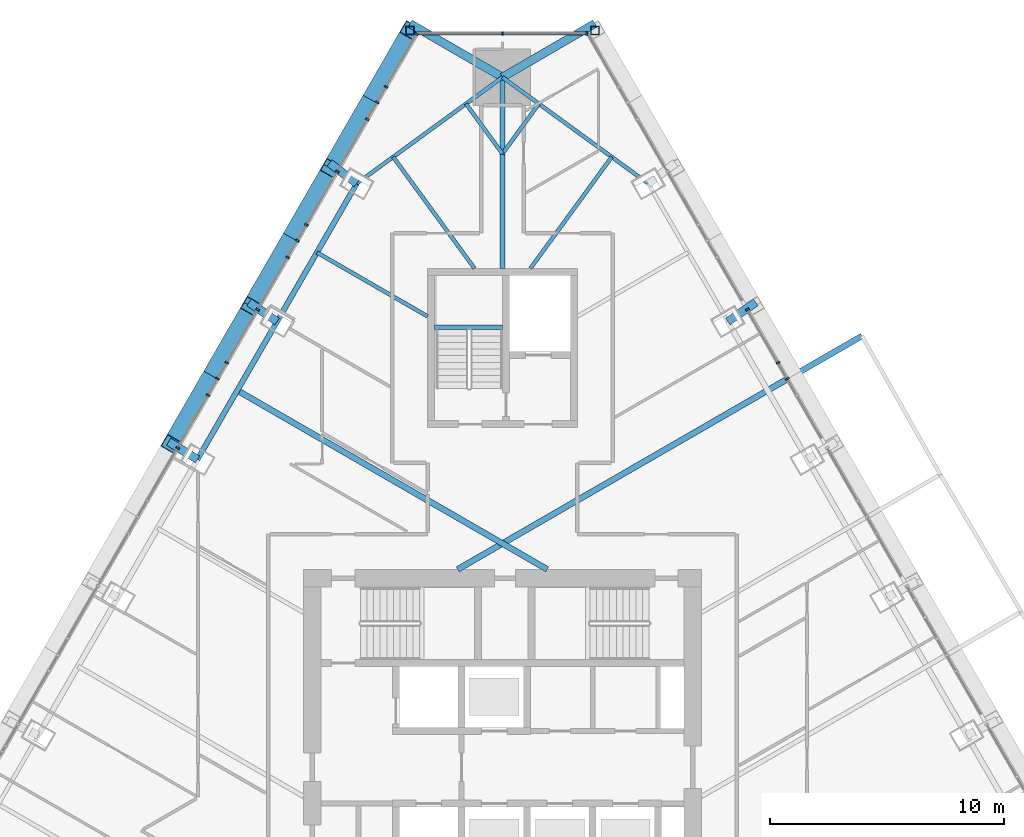
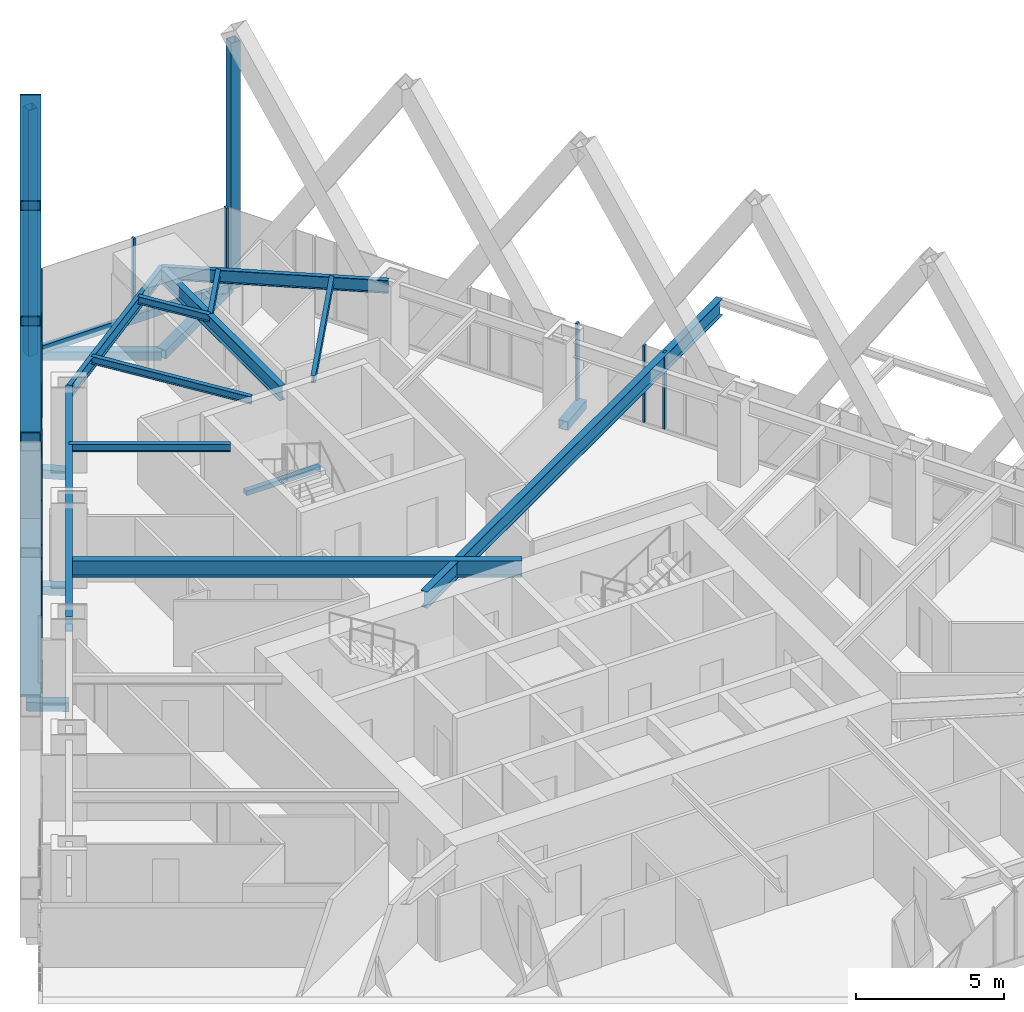
# One storey, part 11 of 24: 33 members, 12 beams, 3 elements without a shape of their own.
"""IFC4 building model written with IfcOpenShell, lengths in metres."""

from ifc_helpers import new_model, si_unit, direction, frame, origin, origin_2d, place, context, subcontext, project, spatial, rectangle, hollow_rectangle, i_section, extrude, material, layer, layer_set, material_profile, profile_set, type_object, element, aggregate, save


model = new_model("IFC4")

# Units and contexts
model_context = context("Model", 3, precision=1e-05, world=origin(), true_north=direction((0.0, 1.0)))
body_context = subcontext(model_context, "Body", "Model", "MODEL_VIEW")
ifc_project = project(units=[si_unit("LENGTHUNIT", "METRE"), si_unit("AREAUNIT", "SQUARE_METRE"), si_unit("VOLUMEUNIT", "CUBIC_METRE"), si_unit("PLANEANGLEUNIT", "RADIAN"), si_unit("MASSUNIT", "GRAM", prefix="KILO")], contexts=[model_context])

# Site, building, storey
site_placement = place(None, origin())
site = spatial("IfcSite", under=ifc_project, at=site_placement, CompositionType="ELEMENT")
building_placement = place(site_placement, origin())
building = spatial("IfcBuilding", under=site, at=building_placement, Name="Firuza Gate Tower and Library", CompositionType="ELEMENT")
storey_placement = place(building_placement, frame((0.0, 0.0, 260.10009765625)))
storey = spatial("IfcBuildingStorey", under=building, at=storey_placement, Name="L61", CompositionType="ELEMENT", Elevation=260.10009765625)

# Members
ifc_material_1 = material(Name="Steel S355", Category="steel")
ifc_material_profile_1 = material_profile(ifc_material_1, hollow_rectangle(XDim=0.699951171875, YDim=0.699951171875, WallThickness=0.030029296875, at=origin_2d()))
ifc_profile_set_1 = profile_set([ifc_material_profile_1], Name="Steel S355")
member_type_1 = type_object("IfcMemberType", Name="BU700x700x30 Lattice brace", PredefinedType="BRACE", material=ifc_profile_set_1)
for number, where, z_axis, x_axis, name in (
    (1, (71.0537109375, 104.76025390625, 0.0), (-0.271802769294, -0.470751389254, 0.839354742716), (0.866013990052, -0.500019768644, 0.0), "Lattice brace W 15.1R"),
    (2, (67.653564453125, 98.871337890625, 0.0), (0.271802769294, 0.470751389254, 0.839354742716), (-0.866013990052, 0.500019768644, 0.0), "Lattice brace W 15.1L"),
    (3, (67.653564453125, 98.871337890625, 0.0), (-0.2717846947, -0.470753886318, 0.839359195007), (0.866029536736, -0.499992841449, 0.0), "Lattice brace W 15.2R"),
    (4, (64.253662109375, 92.982421875, 0.0), (0.2717846947, 0.470753886318, 0.839359195007), (-0.866029536736, 0.499992841449, 0.0), "Lattice brace W 15.2L"),
    (5, (64.253662109375, 92.982421875, 0.0), (-0.271802769294, -0.470751389254, 0.839354742716), (0.866013990052, -0.500019768644, 0.0), "Lattice brace W 15.3R"),
    (6, (60.853515625, 87.093505859375, 0.0), (0.271802769294, 0.470751389254, 0.839354742716), (-0.866013990052, 0.500019768644, 0.0), "Lattice brace W 15.3L"),
):
    element("IfcMember", number, at=place(storey_placement, frame(where, z_axis=z_axis, x_axis=x_axis)), inside=storey, type_object=member_type_1, Name=name, PredefinedType="BRACE", context=body_context, shape_type="SweptSolid", body=[
        extrude(hollow_rectangle(XDim=0.699951171875, YDim=0.699951171875, WallThickness=0.030029296875, at=origin_2d()), origin(), (0.0, 0.0, 1.0), 12.509521484375),
    ])

# Curtain wall, members
ifc_material_2 = material(Name="Aluminium 6063-T6", Category="aluminium")
ifc_layer_1 = layer(ifc_material_2, 0.14990234375)
ifc_layer_set_1 = layer_set([ifc_layer_1], Name="Unitised curtain wall, residences")
curtain_wall_type_1 = type_object("IfcCurtainWallType", Name="Unitised curtain wall, residences", PredefinedType="NOTDEFINED", material=ifc_layer_set_1)
placement = place(storey_placement, origin())
curtain_wall_1 = element("IfcCurtainWall", 7, at=placement, inside=storey, type_object=curtain_wall_type_1, Name="CW3 L61 E face", PredefinedType="NOTDEFINED")
ifc_material_3 = material(Name="Aluminium 6063-T6", Category="aluminium")
ifc_material_profile_2 = material_profile(ifc_material_3, rectangle(XDim=0.14990234375, YDim=0.080078125, at=origin_2d()))
ifc_profile_set_2 = profile_set([ifc_material_profile_2], Name="Aluminium 6063-T6")
member_type_2 = type_object("IfcMemberType", Name="Curtain wall mullion 80x150", PredefinedType="MULLION", material=ifc_profile_set_2)
member_1_placement = place(storey_placement, frame((87.15869140625, 89.88623046875, 0.14990234375), z_axis=(0.0, 0.0, 1.0), x_axis=(-0.866025403784, -0.5, 0.0)))
member_1 = element("IfcMember", 8, at=member_1_placement, type_object=member_type_2, Name="Mullion", PredefinedType="MULLION", context=body_context, shape_type="SweptSolid", body=[
    extrude(rectangle(XDim=0.14990234375, YDim=0.080078125, at=origin_2d()), origin(), (0.0, 0.0, 1.0), 3.14990234375),
])
member_2_placement = place(storey_placement, frame((85.45556640625, 92.8359375, 0.14990234375), z_axis=(0.0, 0.0, 1.0), x_axis=(-0.866025403784, -0.5, 0.0)))
member_2 = element("IfcMember", 9, at=member_2_placement, type_object=member_type_2, Name="Mullion", PredefinedType="MULLION", context=body_context, shape_type="SweptSolid", body=[
    extrude(rectangle(XDim=0.14990234375, YDim=0.080078125, at=origin_2d()), origin(), (0.0, 0.0, 1.0), 3.14990234375),
])
member_3_placement = place(storey_placement, frame((86.764404296875, 90.569091796875, 0.14990234375), z_axis=(0.0, 0.0, 1.0), x_axis=(-0.866025403784, -0.5, 0.0)))
member_3 = element("IfcMember", 10, at=member_3_placement, type_object=member_type_2, Name="Mullion", PredefinedType="MULLION", context=body_context, shape_type="SweptSolid", body=[
    extrude(rectangle(XDim=0.14990234375, YDim=0.080078125, at=origin_2d()), origin(), (0.0, 0.0, 1.0), 3.14990234375),
])
aggregate(curtain_wall_1, [member_1, member_2, member_3])

ifc_material_4 = material(Name="Aluminium 6063-T6", Category="aluminium")
ifc_layer_2 = layer(ifc_material_4, 0.14990234375)
ifc_layer_set_2 = layer_set([ifc_layer_2], Name="Corner curtain wall, chamfers")
curtain_wall_type_2 = type_object("IfcCurtainWallType", Name="Corner curtain wall, chamfers", PredefinedType="NOTDEFINED", material=ifc_layer_set_2)
curtain_wall_2 = element("IfcCurtainWall", 11, at=placement, inside=storey, type_object=curtain_wall_type_2, Name="CW4 L61 N corner", PredefinedType="NOTDEFINED")
member_4_placement = place(storey_placement, frame((78.603271484375, 104.63525390625, 0.14990234375), z_axis=(0.0, 0.0, 1.0), x_axis=(0.0, -1.0, 0.0)))
member_4 = element("IfcMember", 12, at=member_4_placement, type_object=member_type_2, Name="Mullion", PredefinedType="MULLION", context=body_context, shape_type="SweptSolid", body=[
    extrude(rectangle(XDim=0.14990234375, YDim=0.080078125, at=origin_2d()), origin(), (0.0, 0.0, 1.0), 3.14990234375),
])
member_5_placement = place(storey_placement, frame((75.0, 104.63525390625, 0.14990234375), z_axis=(0.0, 0.0, 1.0), x_axis=(0.0, -1.0, 0.0)))
member_5 = element("IfcMember", 13, at=member_5_placement, type_object=member_type_2, Name="Mullion", PredefinedType="MULLION", context=body_context, shape_type="SweptSolid", body=[
    extrude(rectangle(XDim=0.14990234375, YDim=0.080078125, at=origin_2d()), origin(), (0.0, 0.0, 1.0), 3.14990234375),
])

curtain_wall_3 = element("IfcCurtainWall", 14, at=placement, inside=storey, type_object=curtain_wall_type_1, Name="CW3 L61 W face", PredefinedType="NOTDEFINED")
member_6_placement = place(storey_placement, frame((71.336669921875, 104.6005859375, 0.14990234375), z_axis=(0.0, 0.0, 1.0), x_axis=(0.866025403784, -0.5, 0.0)))
member_6 = element("IfcMember", 15, at=member_6_placement, type_object=member_type_2, Name="Mullion", PredefinedType="MULLION", context=body_context, shape_type="SweptSolid", body=[
    extrude(rectangle(XDim=0.14990234375, YDim=0.080078125, at=origin_2d()), origin(), (0.0, 0.0, 1.0), 3.14990234375),
])
member_7_placement = place(storey_placement, frame((69.653564453125, 101.685546875, 0.14990234375), z_axis=(0.0, 0.0, 1.0), x_axis=(0.866025403784, -0.5, 0.0)))
member_7 = element("IfcMember", 16, at=member_7_placement, type_object=member_type_2, Name="Mullion", PredefinedType="MULLION", context=body_context, shape_type="SweptSolid", body=[
    extrude(rectangle(XDim=0.14990234375, YDim=0.080078125, at=origin_2d()), origin(), (0.0, 0.0, 1.0), 3.14990234375),
])
member_8_placement = place(storey_placement, frame((67.950439453125, 98.735595703125, 0.14990234375), z_axis=(0.0, 0.0, 1.0), x_axis=(0.866025403784, -0.5, 0.0)))
member_8 = element("IfcMember", 17, at=member_8_placement, type_object=member_type_2, Name="Mullion", PredefinedType="MULLION", context=body_context, shape_type="SweptSolid", body=[
    extrude(rectangle(XDim=0.14990234375, YDim=0.080078125, at=origin_2d()), origin(), (0.0, 0.0, 1.0), 3.14990234375),
])
member_9_placement = place(storey_placement, frame((66.247314453125, 95.785888671875, 0.14990234375), z_axis=(0.0, 0.0, 1.0), x_axis=(0.866025403784, -0.5, 0.0)))
member_9 = element("IfcMember", 18, at=member_9_placement, type_object=member_type_2, Name="Mullion", PredefinedType="MULLION", context=body_context, shape_type="SweptSolid", body=[
    extrude(rectangle(XDim=0.14990234375, YDim=0.080078125, at=origin_2d()), origin(), (0.0, 0.0, 1.0), 3.14990234375),
])
member_10_placement = place(storey_placement, frame((64.54443359375, 92.8359375, 0.14990234375), z_axis=(0.0, 0.0, 1.0), x_axis=(0.866025403784, -0.5, 0.0)))
member_10 = element("IfcMember", 19, at=member_10_placement, type_object=member_type_2, Name="Mullion", PredefinedType="MULLION", context=body_context, shape_type="SweptSolid", body=[
    extrude(rectangle(XDim=0.14990234375, YDim=0.080078125, at=origin_2d()), origin(), (0.0, 0.0, 1.0), 3.14990234375),
])
member_11_placement = place(storey_placement, frame((62.84130859375, 89.88623046875, 0.14990234375), z_axis=(0.0, 0.0, 1.0), x_axis=(0.866025403784, -0.5, 0.0)))
member_11 = element("IfcMember", 20, at=member_11_placement, type_object=member_type_2, Name="Mullion", PredefinedType="MULLION", context=body_context, shape_type="SweptSolid", body=[
    extrude(rectangle(XDim=0.14990234375, YDim=0.080078125, at=origin_2d()), origin(), (0.0, 0.0, 1.0), 3.14990234375),
])
member_12_placement = place(storey_placement, frame((61.13818359375, 86.936279296875, 0.14990234375), z_axis=(0.0, 0.0, 1.0), x_axis=(0.866025403784, -0.5, 0.0)))
member_12 = element("IfcMember", 21, at=member_12_placement, type_object=member_type_2, Name="Mullion", PredefinedType="MULLION", context=body_context, shape_type="SweptSolid", body=[
    extrude(rectangle(XDim=0.14990234375, YDim=0.080078125, at=origin_2d()), origin(), (0.0, 0.0, 1.0), 3.14990234375),
])
member_13_placement = place(storey_placement, frame((70.035400390625, 102.346923828125, 0.14990234375), z_axis=(0.0, 0.0, 1.0), x_axis=(0.866025403784, -0.5, 0.0)))
member_13 = element("IfcMember", 22, at=member_13_placement, type_object=member_type_2, Name="Mullion", PredefinedType="MULLION", context=body_context, shape_type="SweptSolid", body=[
    extrude(rectangle(XDim=0.14990234375, YDim=0.080078125, at=origin_2d()), origin(), (0.0, 0.0, 1.0), 3.14990234375),
])
member_14_placement = place(storey_placement, frame((69.234619140625, 100.959716796875, 0.14990234375), z_axis=(0.0, 0.0, 1.0), x_axis=(0.866025403784, -0.5, 0.0)))
member_14 = element("IfcMember", 23, at=member_14_placement, type_object=member_type_2, Name="Mullion", PredefinedType="MULLION", context=body_context, shape_type="SweptSolid", body=[
    extrude(rectangle(XDim=0.14990234375, YDim=0.080078125, at=origin_2d()), origin(), (0.0, 0.0, 1.0), 3.14990234375),
])
member_15_placement = place(storey_placement, frame((66.635498046875, 96.4580078125, 0.14990234375), z_axis=(0.0, 0.0, 1.0), x_axis=(0.866025403784, -0.5, 0.0)))
member_15 = element("IfcMember", 24, at=member_15_placement, type_object=member_type_2, Name="Mullion", PredefinedType="MULLION", context=body_context, shape_type="SweptSolid", body=[
    extrude(rectangle(XDim=0.14990234375, YDim=0.080078125, at=origin_2d()), origin(), (0.0, 0.0, 1.0), 3.14990234375),
])
member_16_placement = place(storey_placement, frame((65.834716796875, 95.07080078125, 0.14990234375), z_axis=(0.0, 0.0, 1.0), x_axis=(0.866025403784, -0.5, 0.0)))
member_16 = element("IfcMember", 25, at=member_16_placement, type_object=member_type_2, Name="Mullion", PredefinedType="MULLION", context=body_context, shape_type="SweptSolid", body=[
    extrude(rectangle(XDim=0.14990234375, YDim=0.080078125, at=origin_2d()), origin(), (0.0, 0.0, 1.0), 3.14990234375),
])
member_17_placement = place(storey_placement, frame((63.235595703125, 90.569091796875, 0.14990234375), z_axis=(0.0, 0.0, 1.0), x_axis=(0.866025403784, -0.5, 0.0)))
member_17 = element("IfcMember", 26, at=member_17_placement, type_object=member_type_2, Name="Mullion", PredefinedType="MULLION", context=body_context, shape_type="SweptSolid", body=[
    extrude(rectangle(XDim=0.14990234375, YDim=0.080078125, at=origin_2d()), origin(), (0.0, 0.0, 1.0), 3.14990234375),
])
member_18_placement = place(storey_placement, frame((62.4345703125, 89.181884765625, 0.14990234375), z_axis=(0.0, 0.0, 1.0), x_axis=(0.866025403784, -0.5, 0.0)))
member_18 = element("IfcMember", 27, at=member_18_placement, type_object=member_type_2, Name="Mullion", PredefinedType="MULLION", context=body_context, shape_type="SweptSolid", body=[
    extrude(rectangle(XDim=0.14990234375, YDim=0.080078125, at=origin_2d()), origin(), (0.0, 0.0, 1.0), 3.14990234375),
])
aggregate(curtain_wall_3, [member_6, member_7, member_8, member_9, member_10, member_11, member_12, member_13, member_14, member_15, member_16, member_17, member_18])

# Member
ifc_material_5 = material(Name="Aluminium 6063-T6", Category="aluminium")
ifc_material_profile_3 = material_profile(ifc_material_5, rectangle(XDim=0.14990234375, YDim=0.35009765625, at=origin_2d()))
ifc_profile_set_3 = profile_set([ifc_material_profile_3], Name="Aluminium 6063-T6")
member_type_3 = type_object("IfcMemberType", Name="Curtain wall transom 350x150", PredefinedType="USERDEFINED", material=ifc_profile_set_3)
member_19_placement = place(storey_placement, frame((78.643310546875, 104.63525390625, -0.025146484375), z_axis=(-1.0, 0.0, 0.0), x_axis=(0.0, -1.0, 0.0)))
member_19 = element("IfcMember", 28, at=member_19_placement, type_object=member_type_3, Name="Transom", ObjectType="TRANSOM", PredefinedType="USERDEFINED", context=body_context, shape_type="SweptSolid", body=[
    extrude(rectangle(XDim=0.14990234375, YDim=0.35009765625, at=origin_2d()), origin(), (0.0, 0.0, 1.0), 7.28662109375),
])

aggregate(curtain_wall_2, [member_4, member_5, member_19])

# Members
ifc_material_6 = material(Name="Steel S355", Category="steel")
ifc_material_profile_4 = material_profile(ifc_material_6, hollow_rectangle(XDim=0.355712890625, YDim=0.355712890625, WallThickness=0.014892578125, at=origin_2d()))
ifc_profile_set_4 = profile_set([ifc_material_profile_4], Name="Steel S355")
member_type_4 = type_object("IfcMemberType", Name="HSS356x356x16 Lattice corner stile", PredefinedType="BRACE", material=ifc_profile_set_4)
for number, where, z_axis, x_axis, name in (
    (29, (78.9462890625, 104.76025390625, -0.14013671875), (0.0, 0.0, 1.0), (1.0, 0.0, 0.0), "Lattice corner stile E 15.B"),
    (30, (71.0537109375, 104.76025390625, -0.14013671875), (0.0, 0.0, 1.0), (1.0, 0.0, 0.0), "Lattice corner stile W 15.A"),
):
    element("IfcMember", number, at=place(storey_placement, frame(where, z_axis=z_axis, x_axis=x_axis)), inside=storey, type_object=member_type_4, Name=name, PredefinedType="BRACE", context=body_context, shape_type="SweptSolid", body=[
        extrude(hollow_rectangle(XDim=0.355712890625, YDim=0.355712890625, WallThickness=0.014892578125, at=origin_2d()), origin(), (0.0, 0.0, 1.0), 10.14013671875),
    ])
ifc_material_7 = material(Name="Steel S355", Category="steel")
ifc_material_profile_5 = material_profile(ifc_material_7, hollow_rectangle(XDim=0.355712890625, YDim=0.355712890625, WallThickness=0.014892578125, at=origin_2d()))
ifc_profile_set_5 = profile_set([ifc_material_profile_5], Name="Steel S355")
member_type_5 = type_object("IfcMemberType", Name="HSS356x356x16 Lattice node tie", PredefinedType="BRACE", material=ifc_profile_set_5)
member_20_placement = place(storey_placement, frame((75.0, 102.76025390625, -0.320068359375), z_axis=(0.865033976378, 0.501713284369, 0.0), x_axis=(-0.501713284369, 0.865033976378, 0.0)))
element("IfcMember", 31, at=member_20_placement, inside=storey, type_object=member_type_5, Name="Lattice node tie E L61 367", PredefinedType="BRACE", context=body_context, shape_type="SweptSolid", body=[
    extrude(hollow_rectangle(XDim=0.355712890625, YDim=0.355712890625, WallThickness=0.014892578125, at=origin_2d()), origin(), (0.0, 0.0, 1.0), 4.56201171875),
])
member_21_placement = place(storey_placement, frame((84.62060546875, 92.332275390625, -0.320068359375), z_axis=(0.826590905801, 0.562803228888, 0.0), x_axis=(-0.562803228888, 0.826590905801, 0.0)))
element("IfcMember", 32, at=member_21_placement, inside=storey, type_object=member_type_5, Name="Lattice node tie E L61 369", PredefinedType="BRACE", context=body_context, shape_type="SweptSolid", body=[
    extrude(hollow_rectangle(XDim=0.355712890625, YDim=0.355712890625, WallThickness=0.014892578125, at=origin_2d()), origin(), (0.0, 0.0, 1.0), 1.448486328125),
])
member_22_placement = place(storey_placement, frame((61.9794921875, 86.443359375, -0.320068359375), z_axis=(-0.853411279207, 0.521238130341, 0.0), x_axis=(-0.521238130341, -0.853411279207, 0.0)))
element("IfcMember", 33, at=member_22_placement, inside=storey, type_object=member_type_5, Name="Lattice node tie W L61 387", PredefinedType="BRACE", context=body_context, shape_type="SweptSolid", body=[
    extrude(hollow_rectangle(XDim=0.355712890625, YDim=0.355712890625, WallThickness=0.014892578125, at=origin_2d()), origin(), (0.0, 0.0, 1.0), 1.445068359375),
])
member_23_placement = place(storey_placement, frame((65.37939453125, 92.332275390625, -0.320068359375), z_axis=(-0.826590905801, 0.562803228888, 0.0), x_axis=(-0.562803228888, -0.826590905801, 0.0)))
element("IfcMember", 34, at=member_23_placement, inside=storey, type_object=member_type_5, Name="Lattice node tie W L61 388", PredefinedType="BRACE", context=body_context, shape_type="SweptSolid", body=[
    extrude(hollow_rectangle(XDim=0.355712890625, YDim=0.355712890625, WallThickness=0.014892578125, at=origin_2d()), origin(), (0.0, 0.0, 1.0), 1.448486328125),
])
member_24_placement = place(storey_placement, frame((68.779541015625, 98.221435546875, -0.320068359375), z_axis=(-0.798184584477, 0.602412955624, 0.0), x_axis=(-0.602412955624, -0.798184584477, 0.0)))
element("IfcMember", 35, at=member_24_placement, inside=storey, type_object=member_type_5, Name="Lattice node tie W L61 389", PredefinedType="BRACE", context=body_context, shape_type="SweptSolid", body=[
    extrude(hollow_rectangle(XDim=0.355712890625, YDim=0.355712890625, WallThickness=0.014892578125, at=origin_2d()), origin(), (0.0, 0.0, 1.0), 1.455322265625),
])
member_25_placement = place(storey_placement, frame((75.0, 102.76025390625, -0.320068359375), z_axis=(-0.865033976378, 0.501713284369, 0.0), x_axis=(-0.501713284369, -0.865033976378, 0.0)))
element("IfcMember", 36, at=member_25_placement, inside=storey, type_object=member_type_5, Name="Lattice node tie W L61 390", PredefinedType="BRACE", context=body_context, shape_type="SweptSolid", body=[
    extrude(hollow_rectangle(XDim=0.355712890625, YDim=0.355712890625, WallThickness=0.014892578125, at=origin_2d()), origin(), (0.0, 0.0, 1.0), 4.56201171875),
])

# Beams
ifc_material_8 = material(Name="Concrete C35/45", Category="concrete")
ifc_material_profile_6 = material_profile(ifc_material_8, rectangle(XDim=0.199951171875, YDim=0.199951171875, at=origin_2d()))
ifc_profile_set_6 = profile_set([ifc_material_profile_6], Name="Concrete C35/45")
beam_type_1 = type_object("IfcBeamType", Name="Stair landing bearer 200x200", PredefinedType="BEAM", material=ifc_profile_set_6)
beam_1_placement = place(storey_placement, frame((75.0, 92.090087890625, 1.449951171875), z_axis=(-1.0, 0.0, 0.0), x_axis=(0.0, -1.0, 0.0)))
element("IfcBeam", 37, at=beam_1_placement, inside=storey, type_object=beam_type_1, Name="Landing bearer L61 stair 3", PredefinedType="BEAM", context=body_context, shape_type="SweptSolid", body=[
    extrude(rectangle(XDim=0.199951171875, YDim=0.199951171875, at=origin_2d()), origin(), (0.0, 0.0, 1.0), 2.89990234375),
])
ifc_material_9 = material(Name="Steel S355", Category="steel")
ifc_material_profile_7 = material_profile(ifc_material_9, i_section(OverallWidth=0.1650390625, OverallDepth=0.31005859375, WebThickness=0.005859375, FlangeThickness=0.009765625, at=origin_2d()))
ifc_profile_set_7 = profile_set([ifc_material_profile_7], Name="Steel S355")
beam_type_2 = type_object("IfcBeamType", Name="W310x39 Floor beam", PredefinedType="JOIST", material=ifc_profile_set_7)
beam_2_placement = place(storey_placement, frame((79.66552734375, 99.356201171875, 3.14501953125), z_axis=(-0.589445668342, -0.807808024268, 0.0), x_axis=(0.807808024268, -0.589445668342, 0.0)))
element("IfcBeam", 38, at=beam_2_placement, inside=storey, type_object=beam_type_2, Name="Floor beam L61 s60", PredefinedType="JOIST", context=body_context, shape_type="SweptSolid", body=[
    extrude(i_section(OverallWidth=0.1650390625, OverallDepth=0.31005859375, WebThickness=0.005859375, FlangeThickness=0.009765625, at=origin_2d()), origin(), (0.0, 0.0, 1.0), 5.8876953125),
])
for number, where, z_axis, x_axis, name in (
    (39, (76.55517578125, 101.62548828125, 3.14501953125), (-0.589480494161, -0.807782611229, 0.0), (0.807782611229, -0.589480494161, 0.0), "Floor beam L61 s61"),
    (40, (73.44482421875, 101.62548828125, 3.14501953125), (0.589480494161, -0.807782611229, 0.0), (0.807782611229, 0.589480494161, 0.0), "Floor beam L61 s70"),
):
    element("IfcBeam", number, at=place(storey_placement, frame(where, z_axis=z_axis, x_axis=x_axis)), inside=storey, type_object=beam_type_2, Name=name, PredefinedType="JOIST", context=body_context, shape_type="SweptSolid", body=[
        extrude(i_section(OverallWidth=0.1650390625, OverallDepth=0.31005859375, WebThickness=0.005859375, FlangeThickness=0.009765625, at=origin_2d()), origin(), (0.0, 0.0, 1.0), 2.63818359375),
    ])
beam_3_placement = place(storey_placement, frame((70.33447265625, 99.356201171875, 3.14501953125), z_axis=(0.589445668342, -0.807808024268, 0.0), x_axis=(0.807808024268, 0.589445668342, 0.0)))
element("IfcBeam", 41, at=beam_3_placement, inside=storey, type_object=beam_type_2, Name="Floor beam L61 s71", PredefinedType="JOIST", context=body_context, shape_type="SweptSolid", body=[
    extrude(i_section(OverallWidth=0.1650390625, OverallDepth=0.31005859375, WebThickness=0.005859375, FlangeThickness=0.009765625, at=origin_2d()), origin(), (0.0, 0.0, 1.0), 5.8876953125),
])
beam_4_placement = place(storey_placement, frame((67.079345703125, 95.27685546875, 3.14501953125), z_axis=(0.866037908964, -0.499978339768, 0.0), x_axis=(0.499978339768, 0.866037908964, 0.0)))
element("IfcBeam", 42, at=beam_4_placement, inside=storey, type_object=beam_type_2, Name="Floor beam L61 s80", PredefinedType="JOIST", context=body_context, shape_type="SweptSolid", body=[
    extrude(i_section(OverallWidth=0.1650390625, OverallDepth=0.31005859375, WebThickness=0.005859375, FlangeThickness=0.009765625, at=origin_2d()), origin(), (0.0, 0.0, 1.0), 5.450927734375),
])
ifc_material_10 = material(Name="Steel S355", Category="steel")
ifc_material_profile_8 = material_profile(ifc_material_10, i_section(OverallWidth=0.166015625, OverallDepth=0.534912109375, WebThickness=0.01025390625, FlangeThickness=0.0166015625, at=origin_2d()))
ifc_profile_set_8 = profile_set([ifc_material_profile_8], Name="Steel S355")
beam_type_3 = type_object("IfcBeamType", Name="W530x85 Edge beam", PredefinedType="SPANDREL", material=ifc_profile_set_8)
for number, where, z_axis, x_axis, name in (
    (43, (81.220458984375, 98.221435546875, 3.032470703125), (-0.807817876827, 0.58943216563, 0.0), (-0.58943216563, -0.807817876827, 0.0), "Edge beam L61 e60"),
    (44, (75.0, 102.76025390625, 3.032470703125), (-0.807817876827, -0.58943216563, 0.0), (0.58943216563, -0.807817876827, 0.0), "Edge beam L61 e70"),
):
    element("IfcBeam", number, at=place(storey_placement, frame(where, z_axis=z_axis, x_axis=x_axis)), inside=storey, type_object=beam_type_3, Name=name, PredefinedType="SPANDREL", context=body_context, shape_type="SweptSolid", body=[
        extrude(i_section(OverallWidth=0.166015625, OverallDepth=0.534912109375, WebThickness=0.01025390625, FlangeThickness=0.0166015625, at=origin_2d()), origin(), (0.0, 0.0, 1.0), 7.700439453125),
    ])
ifc_material_11 = material(Name="Steel S355", Category="steel")
ifc_material_profile_9 = material_profile(ifc_material_11, i_section(OverallWidth=0.22802734375, OverallDepth=0.60302734375, WebThickness=0.010498046875, FlangeThickness=0.014892578125, at=origin_2d()))
ifc_profile_set_9 = profile_set([ifc_material_profile_9], Name="Steel S355")
beam_type_4 = type_object("IfcBeamType", Name="W610x101 Girder", PredefinedType="BEAM", material=ifc_profile_set_9)
beam_5_placement = place(storey_placement, frame((75.0, 102.76025390625, 2.998291015625), z_axis=(0.0, -1.0, 0.0), x_axis=(1.0, 0.0, 0.0)))
element("IfcBeam", 45, at=beam_5_placement, inside=storey, type_object=beam_type_4, Name="Girder L61 gN", PredefinedType="BEAM", context=body_context, shape_type="SweptSolid", body=[
    extrude(i_section(OverallWidth=0.22802734375, OverallDepth=0.60302734375, WebThickness=0.010498046875, FlangeThickness=0.014892578125, at=origin_2d()), origin(), (0.0, 0.0, 1.0), 8.16015625),
])
ifc_material_12 = material(Name="Steel S355", Category="steel")
ifc_material_profile_10 = material_profile(ifc_material_12, i_section(OverallWidth=0.22900390625, OverallDepth=0.612060546875, WebThickness=0.011962890625, FlangeThickness=0.01953125, at=origin_2d()))
ifc_profile_set_10 = profile_set([ifc_material_profile_10], Name="Steel S355")
beam_type_5 = type_object("IfcBeamType", Name="W610x125 Edge beam", PredefinedType="SPANDREL", material=ifc_profile_set_10)
beam_6_placement = place(storey_placement, frame((68.779541015625, 98.221435546875, 2.993896484375), z_axis=(-0.499998531986, -0.866026251341, 0.0), x_axis=(0.866026251341, -0.499998531986, 0.0)))
element("IfcBeam", 46, at=beam_6_placement, inside=storey, type_object=beam_type_5, Name="Edge beam L61 e80", PredefinedType="SPANDREL", context=body_context, shape_type="SweptSolid", body=[
    extrude(i_section(OverallWidth=0.22900390625, OverallDepth=0.612060546875, WebThickness=0.011962890625, FlangeThickness=0.01953125, at=origin_2d()), origin(), (0.0, 0.0, 1.0), 13.60009765625),
])
ifc_material_13 = material(Name="Steel S355", Category="steel")
ifc_material_profile_11 = material_profile(ifc_material_13, i_section(OverallWidth=0.2529296875, OverallDepth=0.677978515625, WebThickness=0.01171875, FlangeThickness=0.016357421875, at=origin_2d()))
ifc_profile_set_11 = profile_set([ifc_material_profile_11], Name="Steel S355")
beam_type_6 = type_object("IfcBeamType", Name="W690x125 Floor beam", PredefinedType="JOIST", material=ifc_profile_set_11)
beam_7_placement = place(storey_placement, frame((90.34765625, 91.712890625, 2.9609375), z_axis=(-0.866026845417, -0.49999750301, 0.0), x_axis=(0.49999750301, -0.866026845417, 0.0)))
element("IfcBeam", 47, at=beam_7_placement, inside=storey, type_object=beam_type_6, Name="Floor beam L61 s53", PredefinedType="JOIST", context=body_context, shape_type="SweptSolid", body=[
    extrude(i_section(OverallWidth=0.2529296875, OverallDepth=0.677978515625, WebThickness=0.01171875, FlangeThickness=0.016357421875, at=origin_2d()), origin(), (0.0, 0.0, 1.0), 19.92578125),
])
beam_8_placement = place(storey_placement, frame((63.679443359375, 89.387939453125, 2.9609375), z_axis=(0.866024566659, -0.500001449941, 0.0), x_axis=(0.500001449941, 0.866024566659, 0.0)))
element("IfcBeam", 48, at=beam_8_placement, inside=storey, type_object=beam_type_6, Name="Floor beam L61 s81", PredefinedType="JOIST", context=body_context, shape_type="SweptSolid", body=[
    extrude(i_section(OverallWidth=0.2529296875, OverallDepth=0.677978515625, WebThickness=0.01171875, FlangeThickness=0.016357421875, at=origin_2d()), origin(), (0.0, 0.0, 1.0), 15.27587890625),
])

save(model, "model.ifc")
